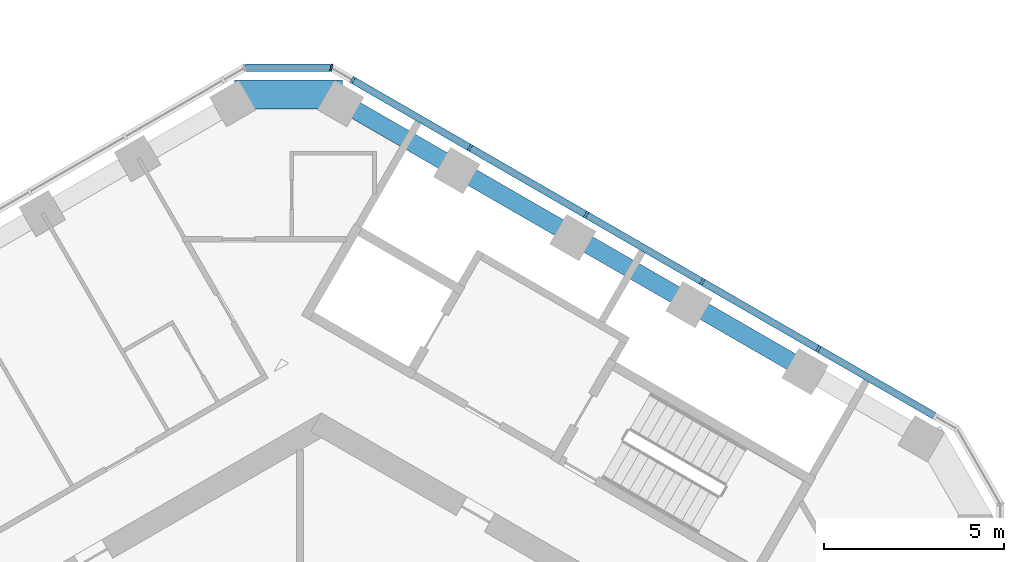
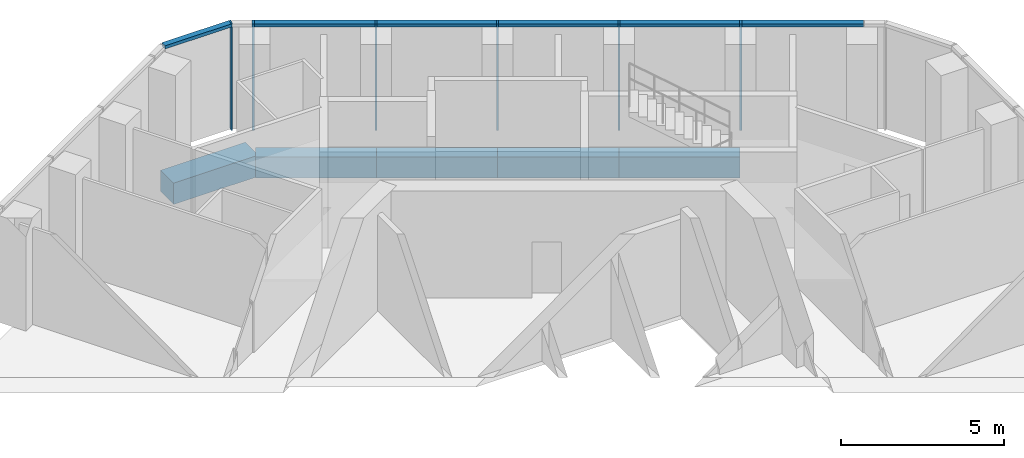
# One storey, part 6 of 21: 8 members, 5 beams, 2 elements without a shape of their own.
"""IFC4 building model written with IfcOpenShell, lengths in metres."""

from ifc_helpers import new_model, si_unit, direction, frame, origin, origin_2d, place, context, subcontext, project, spatial, rectangle, extrude, material, layer, layer_set, material_profile, profile_set, type_object, element, aggregate, save


model = new_model("IFC4")

# Units and contexts
model_context = context("Model", 3, precision=1e-05, world=origin(), true_north=direction((0.0, 1.0)))
body_context = subcontext(model_context, "Body", "Model", "MODEL_VIEW")
ifc_project = project(units=[si_unit("LENGTHUNIT", "METRE"), si_unit("AREAUNIT", "SQUARE_METRE"), si_unit("VOLUMEUNIT", "CUBIC_METRE"), si_unit("PLANEANGLEUNIT", "RADIAN"), si_unit("MASSUNIT", "GRAM", prefix="KILO")], contexts=[model_context])

# Site, building, storey
site_placement = place(None, origin())
site = spatial("IfcSite", under=ifc_project, at=site_placement, CompositionType="ELEMENT")
building_placement = place(site_placement, origin())
building = spatial("IfcBuilding", under=site, at=building_placement, Name="Ayvan Gate Tower", CompositionType="ELEMENT")
storey_placement = place(building_placement, frame((0.0, 0.0, 206.10009765625)))
storey = spatial("IfcBuildingStorey", under=building, at=storey_placement, Name="L55", CompositionType="ELEMENT", Elevation=206.10009765625)

# Beams
ifc_material_1 = material(Name="Concrete C40/50", Category="concrete")
ifc_material_profile_1 = material_profile(ifc_material_1, rectangle(XDim=0.800048828125, YDim=0.800048828125, at=origin_2d()), Name="RC 800x800")
ifc_profile_set_1 = profile_set([ifc_material_profile_1], Name="Concrete C40/50")
beam_type_1 = type_object("IfcBeamType", Name="Corner spandrel beam RC 800x800 C40/50", PredefinedType="BEAM", material=ifc_profile_set_1)
beam_placement = place(storey_placement, frame((0.581787109375, 19.823974609375, -0.800048828125), z_axis=(-1.0, 0.0, 0.0), x_axis=(0.0, -1.0, 0.0)))
element("IfcBeam", 1, at=beam_placement, inside=storey, type_object=beam_type_1, Name="SB-L55-12", PredefinedType="BEAM", context=body_context, shape_type="SweptSolid", body=[
    extrude(rectangle(XDim=0.800048828125, YDim=0.800048828125, at=origin_2d()), origin(), (0.0, 0.0, 1.0), 3.0),
])
ifc_material_profile_2 = material_profile(ifc_material_1, rectangle(XDim=0.5, YDim=0.800048828125, at=origin_2d()), Name="RC 500x800")
ifc_profile_set_2 = profile_set([ifc_material_profile_2], Name="Concrete C40/50")
beam_type_2 = type_object("IfcBeamType", Name="Spandrel beam RC 500x800 C40/50", PredefinedType="BEAM", material=ifc_profile_set_2)
for number, where, z_axis, x_axis, name in (
    (2, (13.465576171875, 12.16552734375, -0.800048828125), (-0.866024895032, 0.500000881184, 0.0), (-0.500000881184, -0.866024895032, 0.0), "SB-L55-8"),
    (3, (10.24462890625, 14.025146484375, -0.800048828125), (-0.866024895032, 0.500000881184, 0.0), (-0.500000881184, -0.866024895032, 0.0), "SB-L55-9"),
    (4, (7.023681640625, 15.884765625, -0.800048828125), (-0.866024895032, 0.500000881184, 0.0), (-0.500000881184, -0.866024895032, 0.0), "SB-L55-10"),
    (5, (3.802734375, 17.744384765625, -0.800048828125), (-0.866024895032, 0.500000881184, 0.0), (-0.500000881184, -0.866024895032, 0.0), "SB-L55-11"),
):
    element("IfcBeam", number, at=place(storey_placement, frame(where, z_axis=z_axis, x_axis=x_axis)), inside=storey, type_object=beam_type_2, Name=name, PredefinedType="BEAM", context=body_context, shape_type="SweptSolid", body=[
        extrude(rectangle(XDim=0.5, YDim=0.800048828125, at=origin_2d()), origin(), (0.0, 0.0, 1.0), 3.71923828125),
    ])

# Curtain wall, members
ifc_material_2 = material(Name="Bronze anodised aluminium", Category="aluminium")
ifc_layer_1 = layer(ifc_material_2, 0.199951171875)
ifc_layer_set_1 = layer_set([ifc_layer_1], Name="Bronze anodised aluminium")
curtain_wall_type_1 = type_object("IfcCurtainWallType", Name="Stick curtain wall CW-2", PredefinedType="NOTDEFINED", material=ifc_layer_set_1)
curtain_wall_1_placement = place(storey_placement, origin())
curtain_wall_1 = element("IfcCurtainWall", 6, at=curtain_wall_1_placement, inside=storey, type_object=curtain_wall_type_1, Name="Stick curtain wall CW-2 L55", PredefinedType="NOTDEFINED")
ifc_material_profile_3 = material_profile(ifc_material_2, rectangle(XDim=0.199951171875, YDim=0.070068359375, at=origin_2d()), Name="Stick curtain wall CW-2 mullion 200 x 70")
ifc_profile_set_3 = profile_set([ifc_material_profile_3], Name="Bronze anodised aluminium")
member_type_1 = type_object("IfcMemberType", Name="Stick curtain wall CW-2 mullion 200 x 70", PredefinedType="MULLION", material=ifc_profile_set_3)
member_1_placement = place(storey_placement, frame((13.82275390625, 12.75146484375, 0.0), z_axis=(0.0, 0.0, 1.0), x_axis=(0.5, 0.866025403784, 0.0)))
member_1 = element("IfcMember", 7, at=member_1_placement, type_object=member_type_1, Name="CW-2 mullion 2", PredefinedType="MULLION", context=body_context, shape_type="SweptSolid", body=[
    extrude(rectangle(XDim=0.199951171875, YDim=0.070068359375, at=origin_2d()), origin(), (0.0, 0.0, 1.0), 4.0),
])
member_2_placement = place(storey_placement, frame((10.592529296875, 14.616455078125, 0.0), z_axis=(0.0, 0.0, 1.0), x_axis=(0.5, 0.866025403784, 0.0)))
member_2 = element("IfcMember", 8, at=member_2_placement, type_object=member_type_1, Name="CW-2 mullion 3", PredefinedType="MULLION", context=body_context, shape_type="SweptSolid", body=[
    extrude(rectangle(XDim=0.199951171875, YDim=0.070068359375, at=origin_2d()), origin(), (0.0, 0.0, 1.0), 4.0),
])
member_3_placement = place(storey_placement, frame((7.361328125, 16.48193359375, 0.0), z_axis=(0.0, 0.0, 1.0), x_axis=(0.5, 0.866025403784, 0.0)))
member_3 = element("IfcMember", 9, at=member_3_placement, type_object=member_type_1, Name="CW-2 mullion 4", PredefinedType="MULLION", context=body_context, shape_type="SweptSolid", body=[
    extrude(rectangle(XDim=0.199951171875, YDim=0.070068359375, at=origin_2d()), origin(), (0.0, 0.0, 1.0), 4.0),
])
member_4_placement = place(storey_placement, frame((4.131103515625, 18.346923828125, 0.0), z_axis=(0.0, 0.0, 1.0), x_axis=(0.5, 0.866025403784, 0.0)))
member_4 = element("IfcMember", 10, at=member_4_placement, type_object=member_type_1, Name="CW-2 mullion 5", PredefinedType="MULLION", context=body_context, shape_type="SweptSolid", body=[
    extrude(rectangle(XDim=0.199951171875, YDim=0.070068359375, at=origin_2d()), origin(), (0.0, 0.0, 1.0), 4.0),
])
member_5_placement = place(storey_placement, frame((0.868408203125, 20.230712890625, 0.0), z_axis=(0.0, 0.0, 1.0), x_axis=(0.5, 0.866025403784, 0.0)))
member_5 = element("IfcMember", 11, at=member_5_placement, type_object=member_type_1, Name="CW-2 mullion 6", PredefinedType="MULLION", context=body_context, shape_type="SweptSolid", body=[
    extrude(rectangle(XDim=0.199951171875, YDim=0.070068359375, at=origin_2d()), origin(), (0.0, 0.0, 1.0), 4.0),
])
ifc_material_profile_4 = material_profile(ifc_material_2, rectangle(XDim=0.199951171875, YDim=0.1201171875, at=origin_2d()), Name="Stick curtain wall CW-2 transom 200 x 120")
ifc_profile_set_4 = profile_set([ifc_material_profile_4], Name="Bronze anodised aluminium")
member_type_2 = type_object("IfcMemberType", Name="Stick curtain wall CW-2 transom 200 x 120", PredefinedType="USERDEFINED", material=ifc_profile_set_4)
member_6_placement = place(storey_placement, frame((17.0859375, 10.867431640625, 3.93994140625), z_axis=(-0.866023407219, 0.500003458137, 0.0), x_axis=(-0.500003458137, -0.866023407219, 0.0)))
member_6 = element("IfcMember", 12, at=member_6_placement, type_object=member_type_2, Name="CW-2 transom 1", ObjectType="TRANSOM", PredefinedType="USERDEFINED", context=body_context, shape_type="SweptSolid", body=[
    extrude(rectangle(XDim=0.199951171875, YDim=0.1201171875, at=origin_2d()), origin(), (0.0, 0.0, 1.0), 18.726318359375),
])
aggregate(curtain_wall_1, [member_1, member_2, member_3, member_4, member_5, member_6])

ifc_layer_2 = layer(ifc_material_2, 0.199951171875)
ifc_layer_set_2 = layer_set([ifc_layer_2], Name="Bronze anodised aluminium")
curtain_wall_type_2 = type_object("IfcCurtainWallType", Name="Stick curtain wall CW-6", PredefinedType="NOTDEFINED", material=ifc_layer_set_2)
curtain_wall_2_placement = place(storey_placement, origin())
curtain_wall_2 = element("IfcCurtainWall", 13, at=curtain_wall_2_placement, inside=storey, type_object=curtain_wall_type_2, Name="Stick curtain wall CW-6 L55", PredefinedType="NOTDEFINED")
ifc_material_profile_5 = material_profile(ifc_material_2, rectangle(XDim=0.199951171875, YDim=0.050048828125, at=origin_2d()), Name="Stick curtain wall CW-6 mullion 200 x 50")
ifc_profile_set_5 = profile_set([ifc_material_profile_5], Name="Bronze anodised aluminium")
member_type_3 = type_object("IfcMemberType", Name="Stick curtain wall CW-6 mullion 200 x 50", PredefinedType="MULLION", material=ifc_profile_set_5)
member_7_placement = place(storey_placement, frame((0.275146484375, 20.5732421875, 0.0), z_axis=(0.0, 0.0, 1.0), x_axis=(0.258819045103, 0.965925826289, 0.0)))
member_7 = element("IfcMember", 14, at=member_7_placement, type_object=member_type_3, Name="CW-6 mullion 2", PredefinedType="MULLION", context=body_context, shape_type="SweptSolid", body=[
    extrude(rectangle(XDim=0.199951171875, YDim=0.050048828125, at=origin_2d()), origin(), (0.0, 0.0, 1.0), 4.0),
])
ifc_material_profile_6 = material_profile(ifc_material_2, rectangle(XDim=0.199951171875, YDim=0.1201171875, at=origin_2d()), Name="Stick curtain wall CW-6 transom 200 x 120")
ifc_profile_set_6 = profile_set([ifc_material_profile_6], Name="Bronze anodised aluminium")
member_type_4 = type_object("IfcMemberType", Name="Stick curtain wall CW-6 transom 200 x 120", PredefinedType="USERDEFINED", material=ifc_profile_set_6)
member_8_placement = place(storey_placement, frame((0.250244140625, 20.5732421875, 3.93994140625), z_axis=(-1.0, 0.0, 0.0), x_axis=(0.0, -1.0, 0.0)))
member_8 = element("IfcMember", 15, at=member_8_placement, type_object=member_type_4, Name="CW-6 transom 2", ObjectType="TRANSOM", PredefinedType="USERDEFINED", context=body_context, shape_type="SweptSolid", body=[
    extrude(rectangle(XDim=0.199951171875, YDim=0.1201171875, at=origin_2d()), origin(), (0.0, 0.0, 1.0), 2.364501953125),
])
aggregate(curtain_wall_2, [member_7, member_8])

save(model, "model.ifc")
